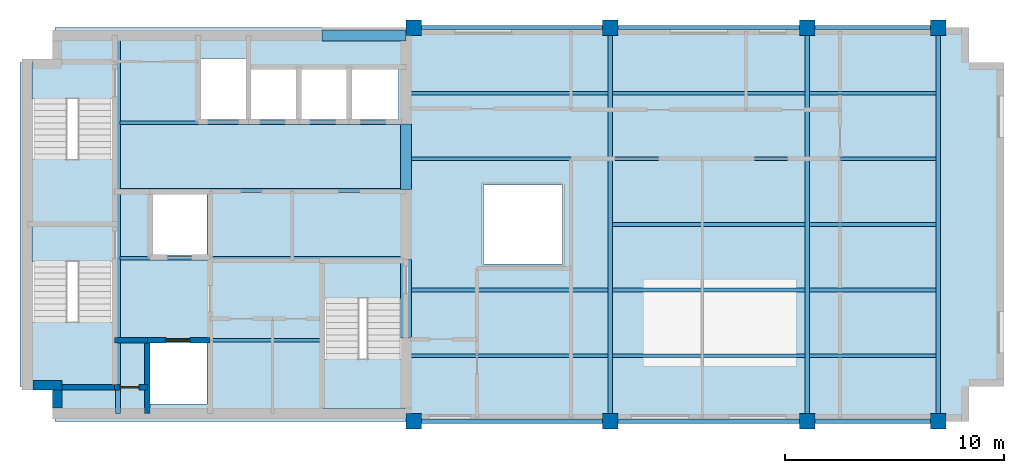
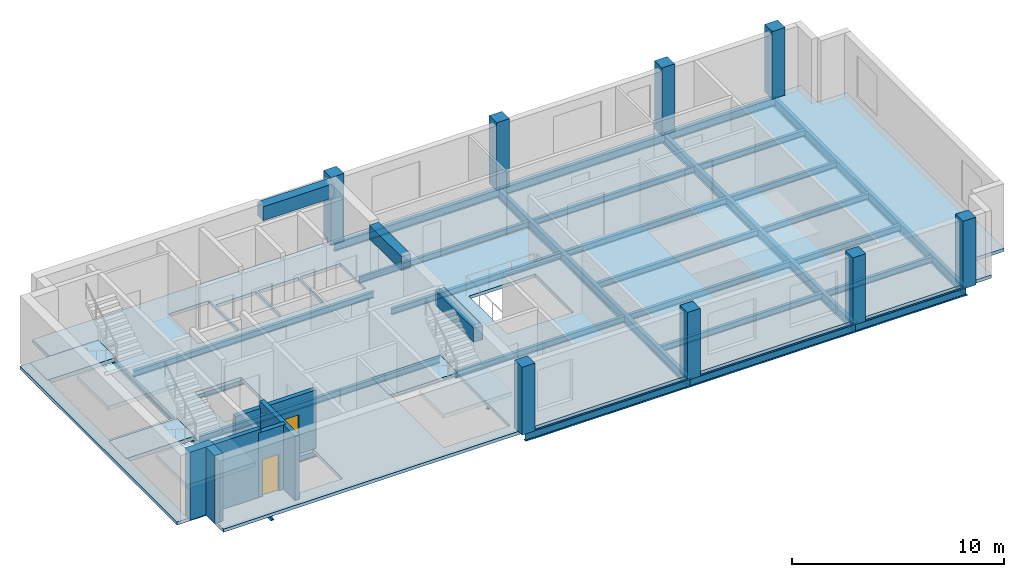
# One storey, part 1 of 5: 31 beams, 8 columns, 7 slabs, 7 walls, 2 doors, 2 openings, 3 elements without a shape of their own.
"""IFC4 building model written with IfcOpenShell, lengths in metres."""

from ifc_helpers import new_model, si_unit, direction, frame, frame_2d, origin, origin_2d, place, context, subcontext, project, spatial, polyline, rectangle, i_section, outline, extrude, material, layer, layer_set, material_profile, profile_set, type_object, element, fill, aggregate, save


model = new_model("IFC4")

# Units and contexts
model_context = context("Model", 3, precision=1e-05, world=origin(), true_north=direction((0.0, 1.0)))
body_context = subcontext(model_context, "Body", "Model", "MODEL_VIEW")
ifc_project = project(units=[si_unit("LENGTHUNIT", "METRE"), si_unit("AREAUNIT", "SQUARE_METRE"), si_unit("VOLUMEUNIT", "CUBIC_METRE"), si_unit("PLANEANGLEUNIT", "RADIAN"), si_unit("MASSUNIT", "GRAM", prefix="KILO")], contexts=[model_context])

# Site, building, storey
site_placement = place(None, origin())
site = spatial("IfcSite", under=ifc_project, at=site_placement, CompositionType="ELEMENT")
building_placement = place(site_placement, origin())
building = spatial("IfcBuilding", under=site, at=building_placement, Name="Mawjdan Bourse Tower", CompositionType="ELEMENT")
storey_placement = place(building_placement, frame((0.0, 0.0, 297.60009765625)))
storey = spatial("IfcBuildingStorey", under=building, at=storey_placement, Name="L73", CompositionType="ELEMENT", Elevation=297.60009765625)

# Columns
ifc_material_1 = material(Name="Concrete C60/75", Category="concrete")
ifc_material_profile_1 = material_profile(ifc_material_1, rectangle(XDim=0.699951171875, YDim=0.699951171875, at=origin_2d()), Name="RC700X700")
ifc_profile_set_1 = profile_set([ifc_material_profile_1], Name="Concrete C60/75")
column_type = type_object("IfcColumnType", Name="COL-RC700X700", PredefinedType="COLUMN", material=ifc_profile_set_1)
for number, where, z_axis, x_axis, name in (
    (1, (24.0, 3.0, 0.0), (0.0, 0.0, 1.0), (1.0, 0.0, 0.0), "L73 Structural Column C-X240-Y30"),
    (2, (24.0, 21.0, 0.0), (0.0, 0.0, 1.0), (1.0, 0.0, 0.0), "L73 Structural Column C-X240-Y210"),
    (3, (33.0, 3.0, 0.0), (0.0, 0.0, 1.0), (1.0, 0.0, 0.0), "L73 Structural Column C-X330-Y30"),
    (4, (33.0, 21.0, 0.0), (0.0, 0.0, 1.0), (1.0, 0.0, 0.0), "L73 Structural Column C-X330-Y210"),
    (5, (42.0, 3.0, 0.0), (0.0, 0.0, 1.0), (1.0, 0.0, 0.0), "L73 Structural Column C-X420-Y30"),
    (6, (42.0, 21.0, 0.0), (0.0, 0.0, 1.0), (1.0, 0.0, 0.0), "L73 Structural Column C-X420-Y210"),
    (7, (48.0, 3.0, 0.0), (0.0, 0.0, 1.0), (1.0, 0.0, 0.0), "L73 Structural Column C-X480-Y30"),
    (8, (48.0, 21.0, 0.0), (0.0, 0.0, 1.0), (1.0, 0.0, 0.0), "L73 Structural Column C-X480-Y210"),
):
    element("IfcColumn", number, at=place(storey_placement, frame(where, z_axis=z_axis, x_axis=x_axis)), inside=storey, type_object=column_type, Name=name, PredefinedType="COLUMN", context=body_context, shape_type="SweptSolid", body=[
        extrude(rectangle(XDim=0.699951171875, YDim=0.699951171875, at=origin_2d()), origin(), (0.0, 0.0, 1.0), 3.89990234375),
    ])

# Beams
ifc_material_2 = material(Name="Structural Steel S355", Category="steel")
ifc_material_profile_2 = material_profile(ifc_material_2, i_section(OverallWidth=0.2099609375, OverallDepth=0.537109375, WebThickness=0.010986328125, FlangeThickness=0.017333984375, FilletRadius=0.013916015625, at=origin_2d()), Name="W21X68")
ifc_profile_set_2 = profile_set([ifc_material_profile_2], Name="Structural Steel S355")
beam_type_1 = type_object("IfcBeamType", Name="GRD-W21X68", PredefinedType="BEAM", material=ifc_profile_set_2)
beam_1_placement = place(storey_placement, frame((10.47998046875, 3.35009765625, -0.45361328125), z_axis=(0.0, 1.0, 0.0), x_axis=(-1.0, 0.0, 0.0)))
element("IfcBeam", 9, at=beam_1_placement, inside=storey, type_object=beam_type_1, Name="L73 Core Stair Trimmer Girder 001", PredefinedType="BEAM", context=body_context, shape_type="SweptSolid", body=[
    extrude(i_section(OverallWidth=0.2099609375, OverallDepth=0.537109375, WebThickness=0.010986328125, FlangeThickness=0.017333984375, FilletRadius=0.013916015625, at=origin_2d()), origin(), (0.0, 0.0, 1.0), 17.2998046875),
])
for number, where, z_axis, x_axis, name in (
    (10, (33.0, 3.0, -0.45361328125), (0.0, 1.0, 0.0), (-1.0, 0.0, 0.0), "L73 East Wing Clear-Span Girder 002"),
    (11, (42.0, 3.0, -0.45361328125), (0.0, 1.0, 0.0), (-1.0, 0.0, 0.0), "L73 East Wing Clear-Span Girder 003"),
    (12, (48.0, 3.0, -0.45361328125), (0.0, 1.0, 0.0), (-1.0, 0.0, 0.0), "L73 East Wing Clear-Span Girder 004"),
):
    element("IfcBeam", number, at=place(storey_placement, frame(where, z_axis=z_axis, x_axis=x_axis)), inside=storey, type_object=beam_type_1, Name=name, PredefinedType="BEAM", context=body_context, shape_type="SweptSolid", body=[
        extrude(i_section(OverallWidth=0.2099609375, OverallDepth=0.537109375, WebThickness=0.010986328125, FlangeThickness=0.017333984375, FilletRadius=0.013916015625, at=origin_2d()), origin(), (0.0, 0.0, 1.0), 18.0),
    ])
ifc_material_profile_3 = material_profile(ifc_material_2, i_section(OverallWidth=0.1708984375, OverallDepth=0.35107421875, WebThickness=0.0068359375, FlangeThickness=0.009765625, FilletRadius=0.0078125, at=origin_2d()), Name="W14X30")
ifc_profile_set_3 = profile_set([ifc_material_profile_3], Name="Structural Steel S355")
beam_type_2 = type_object("IfcBeamType", Name="JST-W14X30", PredefinedType="JOIST", material=ifc_profile_set_3)
beam_2_placement = place(storey_placement, frame((23.64990234375, 6.0, -0.360595703125), z_axis=(1.0, 0.0, 0.0), x_axis=(0.0, 1.0, 0.0)))
element("IfcBeam", 13, at=beam_2_placement, inside=storey, type_object=beam_type_2, Name="L73 East Wing Composite Joist 011", PredefinedType="JOIST", context=body_context, shape_type="SweptSolid", body=[
    extrude(i_section(OverallWidth=0.1708984375, OverallDepth=0.35107421875, WebThickness=0.0068359375, FlangeThickness=0.009765625, FilletRadius=0.0078125, at=origin_2d()), origin(), (0.0, 0.0, 1.0), 9.2470703125),
])
beam_3_placement = place(storey_placement, frame((33.10302734375, 6.0, -0.360595703125), z_axis=(1.0, 0.0, 0.0), x_axis=(0.0, 1.0, 0.0)))
element("IfcBeam", 14, at=beam_3_placement, inside=storey, type_object=beam_type_2, Name="L73 East Wing Composite Joist 012", PredefinedType="JOIST", context=body_context, shape_type="SweptSolid", body=[
    extrude(i_section(OverallWidth=0.1708984375, OverallDepth=0.35107421875, WebThickness=0.0068359375, FlangeThickness=0.009765625, FilletRadius=0.0078125, at=origin_2d()), origin(), (0.0, 0.0, 1.0), 8.7939453125),
])
beam_4_placement = place(storey_placement, frame((42.10302734375, 6.0, -0.360595703125), z_axis=(1.0, 0.0, 0.0), x_axis=(0.0, 1.0, 0.0)))
element("IfcBeam", 15, at=beam_4_placement, inside=storey, type_object=beam_type_2, Name="L73 East Wing Composite Joist 013", PredefinedType="JOIST", context=body_context, shape_type="SweptSolid", body=[
    extrude(i_section(OverallWidth=0.1708984375, OverallDepth=0.35107421875, WebThickness=0.0068359375, FlangeThickness=0.009765625, FilletRadius=0.0078125, at=origin_2d()), origin(), (0.0, 0.0, 1.0), 5.7939453125),
])
beam_5_placement = place(storey_placement, frame((23.64990234375, 9.0, -0.360595703125), z_axis=(1.0, 0.0, 0.0), x_axis=(0.0, 1.0, 0.0)))
element("IfcBeam", 16, at=beam_5_placement, inside=storey, type_object=beam_type_2, Name="L73 East Wing Composite Joist 014", PredefinedType="JOIST", context=body_context, shape_type="SweptSolid", body=[
    extrude(i_section(OverallWidth=0.1708984375, OverallDepth=0.35107421875, WebThickness=0.0068359375, FlangeThickness=0.009765625, FilletRadius=0.0078125, at=origin_2d()), origin(), (0.0, 0.0, 1.0), 9.2470703125),
])
beam_6_placement = place(storey_placement, frame((33.10302734375, 9.0, -0.360595703125), z_axis=(1.0, 0.0, 0.0), x_axis=(0.0, 1.0, 0.0)))
element("IfcBeam", 17, at=beam_6_placement, inside=storey, type_object=beam_type_2, Name="L73 East Wing Composite Joist 015", PredefinedType="JOIST", context=body_context, shape_type="SweptSolid", body=[
    extrude(i_section(OverallWidth=0.1708984375, OverallDepth=0.35107421875, WebThickness=0.0068359375, FlangeThickness=0.009765625, FilletRadius=0.0078125, at=origin_2d()), origin(), (0.0, 0.0, 1.0), 8.7939453125),
])
beam_7_placement = place(storey_placement, frame((42.10302734375, 9.0, -0.360595703125), z_axis=(1.0, 0.0, 0.0), x_axis=(0.0, 1.0, 0.0)))
element("IfcBeam", 18, at=beam_7_placement, inside=storey, type_object=beam_type_2, Name="L73 East Wing Composite Joist 016", PredefinedType="JOIST", context=body_context, shape_type="SweptSolid", body=[
    extrude(i_section(OverallWidth=0.1708984375, OverallDepth=0.35107421875, WebThickness=0.0068359375, FlangeThickness=0.009765625, FilletRadius=0.0078125, at=origin_2d()), origin(), (0.0, 0.0, 1.0), 5.7939453125),
])
beam_8_placement = place(storey_placement, frame((33.10302734375, 12.0, -0.360595703125), z_axis=(1.0, 0.0, 0.0), x_axis=(0.0, 1.0, 0.0)))
element("IfcBeam", 19, at=beam_8_placement, inside=storey, type_object=beam_type_2, Name="L73 East Wing Composite Joist 017", PredefinedType="JOIST", context=body_context, shape_type="SweptSolid", body=[
    extrude(i_section(OverallWidth=0.1708984375, OverallDepth=0.35107421875, WebThickness=0.0068359375, FlangeThickness=0.009765625, FilletRadius=0.0078125, at=origin_2d()), origin(), (0.0, 0.0, 1.0), 8.7939453125),
])
beam_9_placement = place(storey_placement, frame((42.10302734375, 12.0, -0.360595703125), z_axis=(1.0, 0.0, 0.0), x_axis=(0.0, 1.0, 0.0)))
element("IfcBeam", 20, at=beam_9_placement, inside=storey, type_object=beam_type_2, Name="L73 East Wing Composite Joist 018", PredefinedType="JOIST", context=body_context, shape_type="SweptSolid", body=[
    extrude(i_section(OverallWidth=0.1708984375, OverallDepth=0.35107421875, WebThickness=0.0068359375, FlangeThickness=0.009765625, FilletRadius=0.0078125, at=origin_2d()), origin(), (0.0, 0.0, 1.0), 5.7939453125),
])
beam_10_placement = place(storey_placement, frame((23.64990234375, 15.0, -0.360595703125), z_axis=(1.0, 0.0, 0.0), x_axis=(0.0, 1.0, 0.0)))
element("IfcBeam", 21, at=beam_10_placement, inside=storey, type_object=beam_type_2, Name="L73 East Wing Composite Joist 019", PredefinedType="JOIST", context=body_context, shape_type="SweptSolid", body=[
    extrude(i_section(OverallWidth=0.1708984375, OverallDepth=0.35107421875, WebThickness=0.0068359375, FlangeThickness=0.009765625, FilletRadius=0.0078125, at=origin_2d()), origin(), (0.0, 0.0, 1.0), 9.2470703125),
])
beam_11_placement = place(storey_placement, frame((33.10302734375, 15.0, -0.360595703125), z_axis=(1.0, 0.0, 0.0), x_axis=(0.0, 1.0, 0.0)))
element("IfcBeam", 22, at=beam_11_placement, inside=storey, type_object=beam_type_2, Name="L73 East Wing Composite Joist 020", PredefinedType="JOIST", context=body_context, shape_type="SweptSolid", body=[
    extrude(i_section(OverallWidth=0.1708984375, OverallDepth=0.35107421875, WebThickness=0.0068359375, FlangeThickness=0.009765625, FilletRadius=0.0078125, at=origin_2d()), origin(), (0.0, 0.0, 1.0), 8.7939453125),
])
beam_12_placement = place(storey_placement, frame((42.10302734375, 15.0, -0.360595703125), z_axis=(1.0, 0.0, 0.0), x_axis=(0.0, 1.0, 0.0)))
element("IfcBeam", 23, at=beam_12_placement, inside=storey, type_object=beam_type_2, Name="L73 East Wing Composite Joist 021", PredefinedType="JOIST", context=body_context, shape_type="SweptSolid", body=[
    extrude(i_section(OverallWidth=0.1708984375, OverallDepth=0.35107421875, WebThickness=0.0068359375, FlangeThickness=0.009765625, FilletRadius=0.0078125, at=origin_2d()), origin(), (0.0, 0.0, 1.0), 5.7939453125),
])
beam_13_placement = place(storey_placement, frame((23.64990234375, 18.0, -0.360595703125), z_axis=(1.0, 0.0, 0.0), x_axis=(0.0, 1.0, 0.0)))
element("IfcBeam", 24, at=beam_13_placement, inside=storey, type_object=beam_type_2, Name="L73 East Wing Composite Joist 022", PredefinedType="JOIST", context=body_context, shape_type="SweptSolid", body=[
    extrude(i_section(OverallWidth=0.1708984375, OverallDepth=0.35107421875, WebThickness=0.0068359375, FlangeThickness=0.009765625, FilletRadius=0.0078125, at=origin_2d()), origin(), (0.0, 0.0, 1.0), 9.2470703125),
])
beam_14_placement = place(storey_placement, frame((33.10302734375, 18.0, -0.360595703125), z_axis=(1.0, 0.0, 0.0), x_axis=(0.0, 1.0, 0.0)))
element("IfcBeam", 25, at=beam_14_placement, inside=storey, type_object=beam_type_2, Name="L73 East Wing Composite Joist 023", PredefinedType="JOIST", context=body_context, shape_type="SweptSolid", body=[
    extrude(i_section(OverallWidth=0.1708984375, OverallDepth=0.35107421875, WebThickness=0.0068359375, FlangeThickness=0.009765625, FilletRadius=0.0078125, at=origin_2d()), origin(), (0.0, 0.0, 1.0), 8.7939453125),
])
beam_15_placement = place(storey_placement, frame((42.10302734375, 18.0, -0.360595703125), z_axis=(1.0, 0.0, 0.0), x_axis=(0.0, 1.0, 0.0)))
element("IfcBeam", 26, at=beam_15_placement, inside=storey, type_object=beam_type_2, Name="L73 East Wing Composite Joist 024", PredefinedType="JOIST", context=body_context, shape_type="SweptSolid", body=[
    extrude(i_section(OverallWidth=0.1708984375, OverallDepth=0.35107421875, WebThickness=0.0068359375, FlangeThickness=0.009765625, FilletRadius=0.0078125, at=origin_2d()), origin(), (0.0, 0.0, 1.0), 5.7939453125),
])
beam_16_placement = place(storey_placement, frame((10.5830078125, 6.699951171875, -0.360595703125), z_axis=(1.0, 0.0, 0.0), x_axis=(0.0, 1.0, 0.0)))
element("IfcBeam", 27, at=beam_16_placement, inside=storey, type_object=beam_type_2, Name="L73 Core Floor Joist 025", PredefinedType="JOIST", context=body_context, shape_type="SweptSolid", body=[
    extrude(i_section(OverallWidth=0.1708984375, OverallDepth=0.35107421875, WebThickness=0.0068359375, FlangeThickness=0.009765625, FilletRadius=0.0078125, at=origin_2d()), origin(), (0.0, 0.0, 1.0), 9.2470703125),
])
for number, where, z_axis, x_axis, name in (
    (28, (10.5830078125, 10.449951171875, -0.360595703125), (1.0, 0.0, 0.0), (0.0, 1.0, 0.0), "L73 Core Floor Joist 026"),
    (29, (10.5830078125, 13.550048828125, -0.360595703125), (1.0, 0.0, 0.0), (0.0, 1.0, 0.0), "L73 Core Floor Joist 027"),
    (30, (10.5830078125, 16.64990234375, -0.360595703125), (1.0, 0.0, 0.0), (0.0, 1.0, 0.0), "L73 Core Floor Joist 028"),
):
    element("IfcBeam", number, at=place(storey_placement, frame(where, z_axis=z_axis, x_axis=x_axis)), inside=storey, type_object=beam_type_2, Name=name, PredefinedType="JOIST", context=body_context, shape_type="SweptSolid", body=[
        extrude(i_section(OverallWidth=0.1708984375, OverallDepth=0.35107421875, WebThickness=0.0068359375, FlangeThickness=0.009765625, FilletRadius=0.0078125, at=origin_2d()), origin(), (0.0, 0.0, 1.0), 13.06689453125),
    ])
ifc_material_3 = material(Name="Concrete C70/85", Category="concrete")
ifc_material_profile_4 = material_profile(ifc_material_3, rectangle(XDim=0.5, YDim=0.800048828125, at=origin_2d()), Name="RCB500X800")
ifc_profile_set_4 = profile_set([ifc_material_profile_4], Name="Concrete C70/85")
beam_type_3 = type_object("IfcBeamType", Name="LNT-RCB500X800", PredefinedType="LINTEL", material=ifc_profile_set_4)
beam_17_placement = place(storey_placement, frame((23.64990234375, 6.800048828125, 3.31494140625), z_axis=(0.0, 1.0, 0.0), x_axis=(-1.0, 0.0, 0.0)))
element("IfcBeam", 31, at=beam_17_placement, inside=storey, type_object=beam_type_3, Name="L73 Coupled Core Lintel CB-E1", PredefinedType="LINTEL", context=body_context, shape_type="SweptSolid", body=[
    extrude(rectangle(XDim=0.5, YDim=0.800048828125, at=origin_2d()), origin(), (0.0, 0.0, 1.0), 3.599853515625),
])
beam_18_placement = place(storey_placement, frame((23.64990234375, 13.60009765625, 3.31494140625), z_axis=(0.0, 1.0, 0.0), x_axis=(-1.0, 0.0, 0.0)))
element("IfcBeam", 32, at=beam_18_placement, inside=storey, type_object=beam_type_3, Name="L73 Coupled Core Lintel CB-E2", PredefinedType="LINTEL", context=body_context, shape_type="SweptSolid", body=[
    extrude(rectangle(XDim=0.5, YDim=0.800048828125, at=origin_2d()), origin(), (0.0, 0.0, 1.0), 3.0),
])
beam_19_placement = place(storey_placement, frame((19.800048828125, 20.64990234375, 3.31494140625), z_axis=(1.0, 0.0, 0.0), x_axis=(0.0, 1.0, 0.0)))
element("IfcBeam", 33, at=beam_19_placement, inside=storey, type_object=beam_type_3, Name="L73 Coupled Core Lintel CB-N1", PredefinedType="LINTEL", context=body_context, shape_type="SweptSolid", body=[
    extrude(rectangle(XDim=0.5, YDim=0.800048828125, at=origin_2d()), origin(), (0.0, 0.0, 1.0), 3.849853515625),
])
ifc_material_profile_5 = material_profile(ifc_material_2, i_section(OverallWidth=0.18994140625, OverallDepth=0.45703125, WebThickness=0.009033203125, FlangeThickness=0.014404296875, FilletRadius=0.01171875, at=origin_2d()), Name="W18X50")
ifc_profile_set_5 = profile_set([ifc_material_profile_5], Name="Structural Steel S355")
beam_type_4 = type_object("IfcBeamType", Name="SPN-W18X50", PredefinedType="SPANDREL", material=ifc_profile_set_5)
for number, where, z_axis, x_axis, name in (
    (34, (24.0, 3.0, -0.41357421875), (1.0, 0.0, 0.0), (0.0, 1.0, 0.0), "L73 Perimeter Masonry-Shelf Spandrel 005"),
    (35, (33.0, 3.0, -0.41357421875), (1.0, 0.0, 0.0), (0.0, 1.0, 0.0), "L73 Perimeter Masonry-Shelf Spandrel 006"),
):
    element("IfcBeam", number, at=place(storey_placement, frame(where, z_axis=z_axis, x_axis=x_axis)), inside=storey, type_object=beam_type_4, Name=name, PredefinedType="SPANDREL", context=body_context, shape_type="SweptSolid", body=[
        extrude(i_section(OverallWidth=0.18994140625, OverallDepth=0.45703125, WebThickness=0.009033203125, FlangeThickness=0.014404296875, FilletRadius=0.01171875, at=origin_2d()), origin(), (0.0, 0.0, 1.0), 9.0),
    ])
beam_20_placement = place(storey_placement, frame((42.0, 3.0, -0.41357421875), z_axis=(1.0, 0.0, 0.0), x_axis=(0.0, 1.0, 0.0)))
element("IfcBeam", 36, at=beam_20_placement, inside=storey, type_object=beam_type_4, Name="L73 Perimeter Masonry-Shelf Spandrel 007", PredefinedType="SPANDREL", context=body_context, shape_type="SweptSolid", body=[
    extrude(i_section(OverallWidth=0.18994140625, OverallDepth=0.45703125, WebThickness=0.009033203125, FlangeThickness=0.014404296875, FilletRadius=0.01171875, at=origin_2d()), origin(), (0.0, 0.0, 1.0), 6.0),
])
for number, where, z_axis, x_axis, name in (
    (37, (24.0, 21.0, -0.41357421875), (1.0, 0.0, 0.0), (0.0, 1.0, 0.0), "L73 Perimeter Masonry-Shelf Spandrel 008"),
    (38, (33.0, 21.0, -0.41357421875), (1.0, 0.0, 0.0), (0.0, 1.0, 0.0), "L73 Perimeter Masonry-Shelf Spandrel 009"),
):
    element("IfcBeam", number, at=place(storey_placement, frame(where, z_axis=z_axis, x_axis=x_axis)), inside=storey, type_object=beam_type_4, Name=name, PredefinedType="SPANDREL", context=body_context, shape_type="SweptSolid", body=[
        extrude(i_section(OverallWidth=0.18994140625, OverallDepth=0.45703125, WebThickness=0.009033203125, FlangeThickness=0.014404296875, FilletRadius=0.01171875, at=origin_2d()), origin(), (0.0, 0.0, 1.0), 9.0),
    ])
beam_21_placement = place(storey_placement, frame((42.0, 21.0, -0.41357421875), z_axis=(1.0, 0.0, 0.0), x_axis=(0.0, 1.0, 0.0)))
element("IfcBeam", 39, at=beam_21_placement, inside=storey, type_object=beam_type_4, Name="L73 Perimeter Masonry-Shelf Spandrel 010", PredefinedType="SPANDREL", context=body_context, shape_type="SweptSolid", body=[
    extrude(i_section(OverallWidth=0.18994140625, OverallDepth=0.45703125, WebThickness=0.009033203125, FlangeThickness=0.014404296875, FilletRadius=0.01171875, at=origin_2d()), origin(), (0.0, 0.0, 1.0), 6.0),
])

# Stair, slabs
ifc_material_4 = material(Name="Concrete C50/60", Category="concrete")
stair_type = type_object("IfcStairType", Name="STR-CORE-1500", PredefinedType="HALF_TURN_STAIR", material=ifc_material_4)
stair_1_placement = place(storey_placement, origin())
stair_1 = element("IfcStair", 40, at=stair_1_placement, inside=storey, type_object=stair_type, Name="L73 Exit Stair 1 (Core South-West)", PredefinedType="HALF_TURN_STAIR")
ifc_layer_1 = layer(ifc_material_4, 0.22998046875)
ifc_layer_set_1 = layer_set([ifc_layer_1], Name="Concrete C50/60")
slab_type_1 = type_object("IfcSlabType", Name="SL-LND-230", PredefinedType="LANDING", material=ifc_layer_set_1)
slab_1_placement = place(storey_placement, frame((0.0, 0.0, -0.22998046875)))
slab_1 = element("IfcSlab", 41, at=slab_1_placement, type_object=slab_type_1, Name="ST1-L73 landing 1", PredefinedType="LANDING", context=body_context, shape_type="SweptSolid", body=[
    extrude(outline(polyline([(6.5400390625, 10.31005859375), (10.260009765625, 10.31005859375), (10.260009765625, 11.969970703125), (6.5400390625, 11.969970703125), (6.5400390625, 10.31005859375)])), origin(), (0.0, 0.0, 1.0), 0.22998046875),
])
slab_2_placement = place(storey_placement, frame((0.0, 0.0, 1.719970703125)))
slab_2 = element("IfcSlab", 42, at=slab_2_placement, type_object=slab_type_1, Name="ST1-L73 landing 2", PredefinedType="LANDING", context=body_context, shape_type="SweptSolid", body=[
    extrude(outline(polyline([(6.5400390625, 4.590087890625), (10.260009765625, 4.590087890625), (10.260009765625, 7.5400390625), (6.5400390625, 7.5400390625), (6.5400390625, 4.590087890625)])), origin(), (0.0, 0.0, 1.0), 0.22998046875),
])
aggregate(stair_1, [slab_1, slab_2])

stair_2_placement = place(storey_placement, origin())
stair_2 = element("IfcStair", 43, at=stair_2_placement, inside=storey, type_object=stair_type, Name="L73 Exit Stair 2 (Core North-West)", PredefinedType="HALF_TURN_STAIR")
slab_3_placement = place(storey_placement, frame((0.0, 0.0, -0.22998046875)))
slab_3 = element("IfcSlab", 44, at=slab_3_placement, type_object=slab_type_1, Name="ST2-L73 landing 1", PredefinedType="LANDING", context=body_context, shape_type="SweptSolid", body=[
    extrude(outline(polyline([(6.5400390625, 17.75), (10.260009765625, 17.75), (10.260009765625, 19.409912109375), (6.5400390625, 19.409912109375), (6.5400390625, 17.75)])), origin(), (0.0, 0.0, 1.0), 0.22998046875),
])
slab_4_placement = place(storey_placement, frame((0.0, 0.0, 1.719970703125)))
slab_4 = element("IfcSlab", 45, at=slab_4_placement, type_object=slab_type_1, Name="ST2-L73 landing 2", PredefinedType="LANDING", context=body_context, shape_type="SweptSolid", body=[
    extrude(outline(polyline([(6.5400390625, 12.030029296875), (10.260009765625, 12.030029296875), (10.260009765625, 14.97998046875), (6.5400390625, 14.97998046875), (6.5400390625, 12.030029296875)])), origin(), (0.0, 0.0, 1.0), 0.22998046875),
])
aggregate(stair_2, [slab_3, slab_4])

stair_3_placement = place(storey_placement, origin())
stair_3 = element("IfcStair", 46, at=stair_3_placement, inside=storey, type_object=stair_type, Name="L73 Exit Stair 7 (Core South-East)", PredefinedType="HALF_TURN_STAIR")
slab_5_placement = place(storey_placement, frame((0.0, 0.0, -0.22998046875)))
slab_5 = element("IfcSlab", 47, at=slab_5_placement, type_object=slab_type_1, Name="ST7-L73 landing 1", PredefinedType="LANDING", context=body_context, shape_type="SweptSolid", body=[
    extrude(outline(polyline([(19.889892578125, 8.6201171875), (23.610107421875, 8.6201171875), (23.610107421875, 10.280029296875), (19.889892578125, 10.280029296875), (19.889892578125, 8.6201171875)])), origin(), (0.0, 0.0, 1.0), 0.22998046875),
])
slab_6_placement = place(storey_placement, frame((0.0, 0.0, 1.719970703125)))
slab_6 = element("IfcSlab", 48, at=slab_6_placement, type_object=slab_type_1, Name="ST7-L73 landing 2", PredefinedType="LANDING", context=body_context, shape_type="SweptSolid", body=[
    extrude(outline(polyline([(19.889892578125, 3.56005859375), (23.610107421875, 3.56005859375), (23.610107421875, 5.85009765625), (19.889892578125, 5.85009765625), (19.889892578125, 3.56005859375)])), origin(), (0.0, 0.0, 1.0), 0.22998046875),
])
aggregate(stair_3, [slab_5, slab_6])

# Slab
ifc_layer_2 = layer(ifc_material_4, 0.18505859375)
ifc_layer_set_2 = layer_set([ifc_layer_2], Name="Concrete C50/60")
slab_type_2 = type_object("IfcSlabType", Name="SL-SMT-185", PredefinedType="FLOOR", material=ifc_layer_set_2)
slab_7_placement = place(storey_placement, frame((0.0, 0.0, -0.18505859375)))
element("IfcSlab", 49, at=slab_7_placement, inside=storey, type_object=slab_type_2, Name="L73 Structural Floor Slab 1", PredefinedType="FLOOR", context=body_context, shape_type="SweptSolid", body=[
    extrude(outline(polyline([(7.60009765625, 3.0), (49.39990234375, 3.0), (49.39990234375, 4.60009765625), (51.0, 4.60009765625), (51.0, 19.39990234375), (49.39990234375, 19.39990234375), (49.39990234375, 21.0), (7.60009765625, 21.0), (7.60009765625, 19.39990234375), (6.0, 19.39990234375), (6.0, 4.60009765625), (7.60009765625, 4.60009765625), (7.60009765625, 3.0)]), holes=[polyline([(14.550048828125, 3.800048828125), (11.949951171875, 3.800048828125), (11.949951171875, 6.60009765625), (14.550048828125, 6.60009765625), (14.550048828125, 3.800048828125)]), polyline([(10.260009765625, 11.969970703125), (10.260009765625, 10.31005859375), (10.199951171875, 10.31005859375), (10.199951171875, 4.64990234375), (6.60009765625, 4.64990234375), (6.60009765625, 10.31005859375), (6.5400390625, 10.31005859375), (6.5400390625, 11.969970703125), (10.260009765625, 11.969970703125)]), polyline([(14.550048828125, 10.60009765625), (12.050048828125, 10.60009765625), (12.050048828125, 13.39990234375), (14.550048828125, 13.39990234375), (14.550048828125, 10.60009765625)]), polyline([(6.60009765625, 12.090087890625), (6.60009765625, 17.75), (6.5400390625, 17.75), (6.5400390625, 19.3798828125), (7.60009765625, 19.3798828125), (7.60205078125, 19.380126953125), (7.60400390625, 19.38037109375), (7.605712890625, 19.380859375), (7.607666015625, 19.381591796875), (7.609375, 19.38232421875), (7.611083984375, 19.38330078125), (7.61279296875, 19.384521484375), (7.614013671875, 19.385986328125), (7.615478515625, 19.38720703125), (7.61669921875, 19.388916015625), (7.61767578125, 19.390625), (7.618408203125, 19.392333984375), (7.619140625, 19.394287109375), (7.61962890625, 19.39599609375), (7.619873046875, 19.39794921875), (7.6201171875, 19.39990234375), (7.6201171875, 19.409912109375), (10.260009765625, 19.409912109375), (10.260009765625, 17.75), (10.199951171875, 17.75), (10.199951171875, 12.090087890625), (6.60009765625, 12.090087890625)]), polyline([(14.199951171875, 16.800048828125), (14.199951171875, 19.60009765625), (16.39990234375, 19.60009765625), (16.39990234375, 16.800048828125), (14.199951171875, 16.800048828125)]), polyline([(23.610107421875, 10.280029296875), (23.610107421875, 8.6201171875), (23.550048828125, 8.6201171875), (23.550048828125, 3.6201171875), (19.949951171875, 3.6201171875), (19.949951171875, 8.6201171875), (19.889892578125, 8.6201171875), (19.889892578125, 10.280029296875), (23.610107421875, 10.280029296875)]), polyline([(27.199951171875, 10.199951171875), (27.199951171875, 13.800048828125), (30.800048828125, 13.800048828125), (30.800048828125, 10.199951171875), (27.199951171875, 10.199951171875)]), polyline([(16.5, 16.800048828125), (16.5, 19.14990234375), (18.699951171875, 19.14990234375), (18.699951171875, 16.800048828125), (16.5, 16.800048828125)]), polyline([(18.800048828125, 16.800048828125), (18.800048828125, 19.14990234375), (21.0, 19.14990234375), (21.0, 16.800048828125), (18.800048828125, 16.800048828125)]), polyline([(21.10009765625, 16.800048828125), (21.10009765625, 19.14990234375), (23.300048828125, 19.14990234375), (23.300048828125, 16.800048828125), (21.10009765625, 16.800048828125)])]), origin(), (0.0, 0.0, 1.0), 0.18505859375),
])

# Walls
ifc_layer_3 = layer(ifc_material_1, 0.449951171875)
ifc_layer_set_3 = layer_set([ifc_layer_3], Name="Concrete C60/75")
wall_type_1 = type_object("IfcWallType", Name="WL-CORE-450", PredefinedType="SHEAR", material=ifc_layer_set_3)
wall_1_placement = place(storey_placement, frame((6.60009765625, 4.64990234375, 0.0), z_axis=(0.0, 0.0, 1.0), x_axis=(1.0, 0.0, 0.0)))
element("IfcWall", 50, at=wall_1_placement, inside=storey, type_object=wall_type_1, Name="L73 Rear Core Shear Wall SW-X", PredefinedType="SHEAR", context=body_context, shape_type="SweptSolid", body=[
    extrude(rectangle(XDim=1.324951171875, YDim=0.449951171875, at=frame_2d((0.66259765625, 0.0))), origin(), (0.0, 0.0, 1.0), 3.89990234375),
])
wall_2_placement = place(storey_placement, frame((7.699951171875, 3.60009765625, 0.0), z_axis=(0.0, 0.0, 1.0), x_axis=(0.0, 1.0, 0.0)))
element("IfcWall", 51, at=wall_2_placement, inside=storey, type_object=wall_type_1, Name="L73 Rear Core Shear Wall SW-Y", PredefinedType="SHEAR", context=body_context, shape_type="SweptSolid", body=[
    extrude(rectangle(XDim=0.824951171875, YDim=0.449951171875, at=frame_2d((0.41259765625, 0.0))), origin(), (0.0, 0.0, 1.0), 3.89990234375),
])

# Wall, opening, door
ifc_layer_4 = layer(ifc_material_4, 0.25)
ifc_layer_set_4 = layer_set([ifc_layer_4], Name="Concrete C50/60")
wall_type_2 = type_object("IfcWallType", Name="WL-SHFT-250", PredefinedType="PARTITIONING", material=ifc_layer_set_4)
wall_3_placement = place(storey_placement, frame((10.330078125, 4.550048828125, 0.0), z_axis=(0.0, 0.0, 1.0), x_axis=(1.0, 0.0, 0.0)))
wall_3 = element("IfcWall", 52, at=wall_3_placement, inside=storey, type_object=wall_type_2, Name="L73 SW Riser North Wall", PredefinedType="PARTITIONING", context=body_context, shape_type="SweptSolid", body=[
    extrude(rectangle(XDim=1.489990234375, YDim=0.25, at=frame_2d((0.7451171875, 0.0))), origin(), (0.0, 0.0, 1.0), 3.704833984375),
])
opening_1_placement = place(wall_3_placement, frame((0.219970703125, 0.0, 0.0)))
opening_1 = element("IfcOpeningElement", 53, at=opening_1_placement, cuts=wall_3, Name="Opening RD-L73-03", PredefinedType="OPENING", context=body_context, shape_type="SweptSolid", body=[
    extrude(rectangle(XDim=0.89990234375, YDim=2.10009765625, at=frame_2d((0.449951171875, 1.050048828125))), frame((0.0, 0.135009765625, 0.0), z_axis=(0.0, -1.0, 0.0), x_axis=(1.0, 0.0, 0.0)), (0.0, 0.0, 1.0), 0.27001953125),
])
ifc_material_5 = material(Name="Fire-Rated Steel Access Leaf", Category="steel")
door_type_1 = type_object("IfcDoorType", Name="FD-RSR-0900", OperationType="NOTDEFINED", PredefinedType="TRAPDOOR", material=ifc_material_5)
door_1_placement = place(opening_1_placement, origin())
door_1 = element("IfcDoor", 54, at=door_1_placement, inside=storey, type_object=door_type_1, Name="L73 Electrical Riser Access Door RD-L73-03", OperationType="SINGLE_SWING_RIGHT", OverallHeight=2.10009765625, OverallWidth=0.89990234375, PredefinedType="TRAPDOOR", context=body_context, shape_type="SweptSolid", body=[
    extrude(rectangle(XDim=0.89990234375, YDim=2.10009765625, at=frame_2d((0.449951171875, 1.050048828125))), frame((0.0, 0.02490234375, 0.0), z_axis=(0.0, -1.0, 0.0), x_axis=(1.0, 0.0, 0.0)), (0.0, 0.0, 1.0), 0.050048828125),
])
fill(opening_1, door_1)

# Wall
wall_4_placement = place(storey_placement, frame((11.820068359375, 3.35009765625, 0.0), z_axis=(0.0, 0.0, 1.0), x_axis=(0.0, 1.0, 0.0)))
element("IfcWall", 55, at=wall_4_placement, inside=storey, type_object=wall_type_2, Name="L73 SW Riser & FFL01 West Wall", PredefinedType="PARTITIONING", context=body_context, shape_type="SweptSolid", body=[
    extrude(rectangle(XDim=3.349853515625, YDim=0.25, at=frame_2d((1.6748046875, 0.0))), origin(), (0.0, 0.0, 1.0), 3.704833984375),
])

# Wall, opening, door
wall_5_placement = place(storey_placement, frame((11.820068359375, 6.699951171875, 0.0), z_axis=(0.0, 0.0, 1.0), x_axis=(1.0, 0.0, 0.0)))
wall_5 = element("IfcWall", 56, at=wall_5_placement, inside=storey, type_object=wall_type_2, Name="L73 FFL-01 Front Shaft Wall", PredefinedType="PARTITIONING", context=body_context, shape_type="SweptSolid", body=[
    extrude(rectangle(XDim=2.8798828125, YDim=0.25, at=frame_2d((1.43994140625, 0.0))), origin(), (0.0, 0.0, 1.0), 3.35400390625),
])
opening_2_placement = place(wall_5_placement, frame((0.85009765625, 0.0, 0.0)))
opening_2 = element("IfcOpeningElement", 57, at=opening_2_placement, cuts=wall_5, Name="Opening LD-L73-05", PredefinedType="OPENING", context=body_context, shape_type="SweptSolid", body=[
    extrude(rectangle(XDim=1.10009765625, YDim=2.25, at=frame_2d((0.550048828125, 1.125))), frame((0.0, 0.135009765625, 0.0), z_axis=(0.0, -1.0, 0.0), x_axis=(1.0, 0.0, 0.0)), (0.0, 0.0, 1.0), 0.27001953125),
])
ifc_material_6 = material(Name="Brushed Stainless Steel", Category="steel")
door_type_2 = type_object("IfcDoorType", Name="LD-FFL-1100", OperationType="DOUBLE_DOOR_SLIDING", PredefinedType="DOOR", material=ifc_material_6)
door_2_placement = place(opening_2_placement, origin())
door_2 = element("IfcDoor", 58, at=door_2_placement, inside=storey, type_object=door_type_2, Name="L73 Firefighting Lift FFL-01 Landing Door LD-L73-05", OperationType="DOUBLE_DOOR_SLIDING", OverallHeight=2.25, OverallWidth=1.10009765625, PredefinedType="DOOR", context=body_context, shape_type="SweptSolid", body=[
    extrude(rectangle(XDim=1.10009765625, YDim=2.25, at=frame_2d((0.550048828125, 1.125))), frame((0.0, 0.02490234375, 0.0), z_axis=(0.0, -1.0, 0.0), x_axis=(1.0, 0.0, 0.0)), (0.0, 0.0, 1.0), 0.050048828125),
])
fill(opening_2, door_2)

# Walls
wall_6_placement = place(storey_placement, frame((10.330078125, 6.699951171875, 0.0), z_axis=(0.0, 0.0, 1.0), x_axis=(1.0, 0.0, 0.0)))
element("IfcWall", 59, at=wall_6_placement, inside=storey, type_object=wall_type_2, Name="L73 Firefighting Lobby South Closure Wall", PredefinedType="PARTITIONING", context=body_context, shape_type="SweptSolid", body=[
    extrude(rectangle(XDim=1.489990234375, YDim=0.25, at=frame_2d((0.7451171875, 0.0))), origin(), (0.0, 0.0, 1.0), 3.35400390625),
])
ifc_layer_5 = layer(ifc_material_4, 0.25)
ifc_layer_set_5 = layer_set([ifc_layer_5], Name="Concrete C50/60")
wall_type_3 = type_object("IfcWallType", Name="WL-STRW-250", PredefinedType="SHEAR", material=ifc_layer_set_5)
wall_7_placement = place(storey_placement, frame((7.699951171875, 4.550048828125, 0.0), z_axis=(0.0, 0.0, 1.0), x_axis=(1.0, 0.0, 0.0)))
element("IfcWall", 60, at=wall_7_placement, inside=storey, type_object=wall_type_3, Name="L73 Stairwell ST1 South Shaft Wall", PredefinedType="SHEAR", context=body_context, shape_type="SweptSolid", body=[
    extrude(rectangle(XDim=2.755126953125, YDim=0.25, at=frame_2d((1.37744140625, 0.0))), origin(), (0.0, 0.0, 1.0), 3.89990234375),
])

save(model, "model.ifc")
